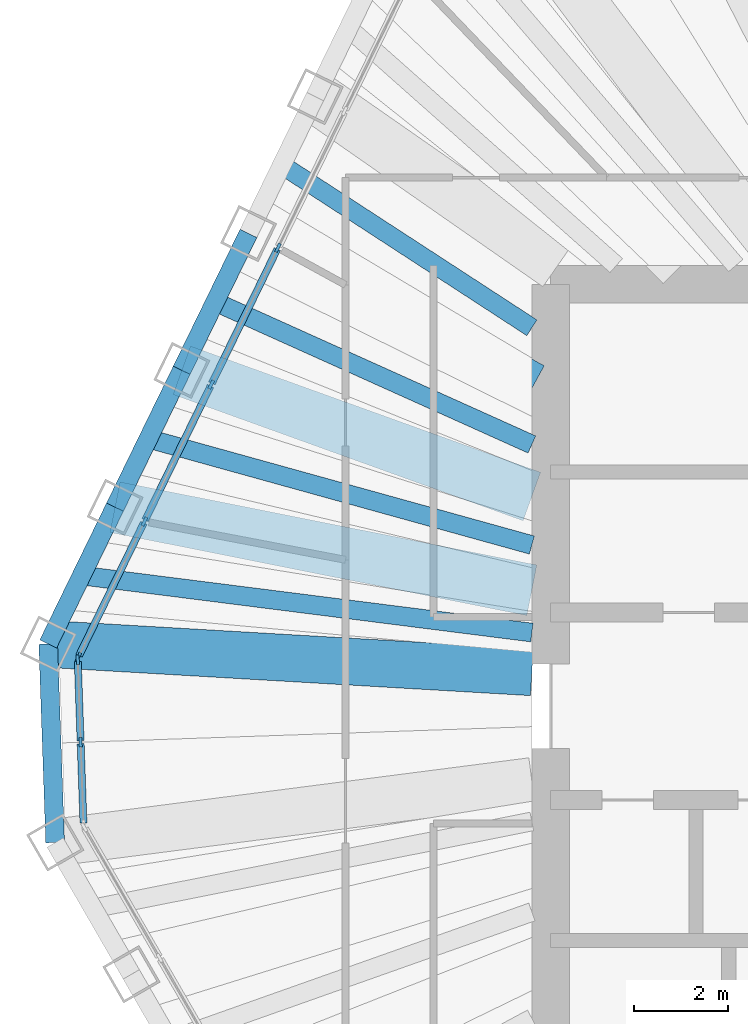
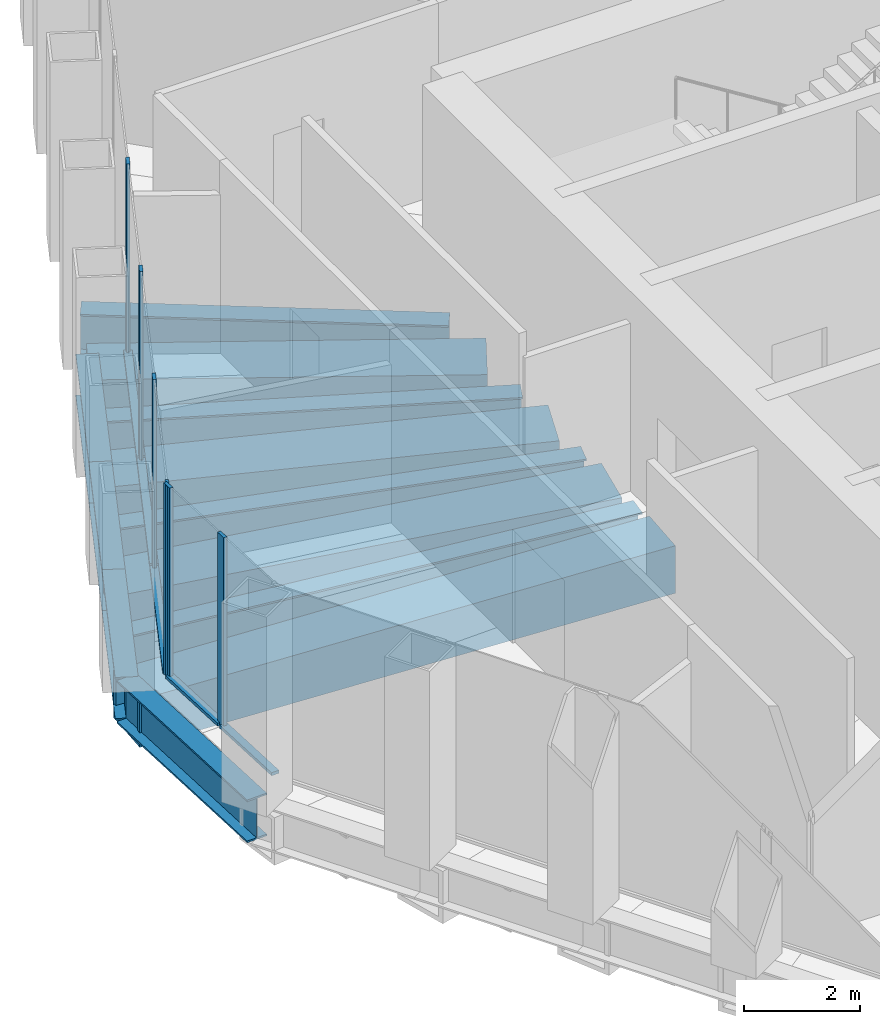
# One storey, part 4 of 14: 12 beams, 11 members, 2 elements without a shape of their own.
"""IFC4 building model written with IfcOpenShell, lengths in metres."""

from ifc_helpers import new_model, si_unit, direction, frame, origin, origin_2d, place, context, subcontext, project, spatial, rectangle, hollow_rectangle, i_section, extrude, material, material_profile, profile_set, type_object, element, aggregate, save


model = new_model("IFC4")

# Units and contexts
model_context = context("Model", 3, precision=1e-05, world=origin(), true_north=direction((0.0, 1.0)))
body_context = subcontext(model_context, "Body", "Model", "MODEL_VIEW")
ifc_project = project(units=[si_unit("LENGTHUNIT", "METRE"), si_unit("AREAUNIT", "SQUARE_METRE"), si_unit("VOLUMEUNIT", "CUBIC_METRE"), si_unit("PLANEANGLEUNIT", "RADIAN"), si_unit("MASSUNIT", "GRAM", prefix="KILO")], contexts=[model_context])

# Site, building, storey
site_placement = place(None, origin())
site = spatial("IfcSite", under=ifc_project, at=site_placement, CompositionType="ELEMENT")
building_placement = place(site_placement, origin())
building = spatial("IfcBuilding", under=site, at=building_placement, Name="Qingtian Harvest Tower", CompositionType="ELEMENT")
storey_placement = place(building_placement, frame((0.0, 0.0, 304.0)))
storey = spatial("IfcBuildingStorey", under=building, at=storey_placement, Name="L67", CompositionType="ELEMENT", Elevation=304.0)

# Beams
ifc_material_1 = material(Name="Steel SN490B", Category="steel")
ifc_material_profile_1 = material_profile(ifc_material_1, i_section(OverallWidth=0.39990234375, OverallDepth=0.89990234375, WebThickness=0.01904296875, FlangeThickness=0.035888671875, at=origin_2d()), Name="H900x400x19x36")
ifc_profile_set_1 = profile_set([ifc_material_profile_1], Name="Steel SN490B")
beam_type_1 = type_object("IfcBeamType", Name="Floor joist J4 H900x400x19x36", PredefinedType="JOIST", material=ifc_profile_set_1)
beam_1_placement = place(storey_placement, frame((-22.00537109375, 2.78662109375, -0.6201171875), z_axis=(0.992077984062, -0.125623538954, 0.0), x_axis=(0.125623538954, 0.992077984062, 0.0)))
element("IfcBeam", 1, at=beam_1_placement, inside=storey, type_object=beam_type_1, Name="Floor joist J4 NW0", PredefinedType="JOIST", context=body_context, shape_type="SweptSolid", body=[
    extrude(i_section(OverallWidth=0.39990234375, OverallDepth=0.89990234375, WebThickness=0.01904296875, FlangeThickness=0.035888671875, at=origin_2d()), origin(), (0.0, 0.0, 1.0), 9.68212890625),
])
beam_2_placement = place(storey_placement, frame((-20.58154296875, 5.7060546875, -0.6201171875), z_axis=(0.963650445063, -0.267166277306, 0.0), x_axis=(0.267166277306, 0.963650445063, 0.0)))
element("IfcBeam", 2, at=beam_2_placement, inside=storey, type_object=beam_type_1, Name="Floor joist J4 NW1", PredefinedType="JOIST", context=body_context, shape_type="SweptSolid", body=[
    extrude(i_section(OverallWidth=0.39990234375, OverallDepth=0.89990234375, WebThickness=0.01904296875, FlangeThickness=0.035888671875, at=origin_2d()), origin(), (0.0, 0.0, 1.0), 8.490234375),
])
beam_3_placement = place(storey_placement, frame((-19.15771484375, 8.625244140625, -0.6201171875), z_axis=(0.911847523905, -0.410529040567, 0.0), x_axis=(0.410529040567, 0.911847523905, 0.0)))
element("IfcBeam", 3, at=beam_3_placement, inside=storey, type_object=beam_type_1, Name="Floor joist J4 NW2", PredefinedType="JOIST", context=body_context, shape_type="SweptSolid", body=[
    extrude(i_section(OverallWidth=0.39990234375, OverallDepth=0.89990234375, WebThickness=0.01904296875, FlangeThickness=0.035888671875, at=origin_2d()), origin(), (0.0, 0.0, 1.0), 7.4111328125),
])
beam_4_placement = place(storey_placement, frame((-17.73388671875, 11.544677734375, -0.6201171875), z_axis=(0.83806130614, -0.545576069079, 0.0), x_axis=(0.545576069079, 0.83806130614, 0.0)))
element("IfcBeam", 4, at=beam_4_placement, inside=storey, type_object=beam_type_1, Name="Floor joist J4 NW3", PredefinedType="JOIST", context=body_context, shape_type="SweptSolid", body=[
    extrude(i_section(OverallWidth=0.39990234375, OverallDepth=0.89990234375, WebThickness=0.01904296875, FlangeThickness=0.035888671875, at=origin_2d()), origin(), (0.0, 0.0, 1.0), 6.36474609375),
])

# Curtain wall, members
ifc_material_2 = material(Name="Bronze-anodised aluminium curtain wall", Category="aluminium")
curtain_wall_type = type_object("IfcCurtainWallType", Name="Curtain wall CW5 upper office", PredefinedType="USERDEFINED", material=ifc_material_2)
curtain_wall_1_placement = place(storey_placement, origin())
curtain_wall_1 = element("IfcCurtainWall", 5, at=curtain_wall_1_placement, inside=storey, type_object=curtain_wall_type, Name="Curtain wall CW5 L67 SWC", ObjectType="RECESSED CURTAIN WALL", PredefinedType="USERDEFINED")
ifc_material_3 = material(Name="Bronze-anodised aluminium mullion", Category="aluminium")
ifc_material_profile_2 = material_profile(ifc_material_3, rectangle(XDim=0.06494140625, YDim=0.199951171875, at=origin_2d()), Name="AL 65x200")
ifc_profile_set_2 = profile_set([ifc_material_profile_2], Name="Bronze-anodised aluminium mullion")
member_type_1 = type_object("IfcMemberType", Name="Mullion CWM 65x200", PredefinedType="MULLION", material=ifc_profile_set_2)
member_1_placement = place(storey_placement, frame((-22.025634765625, -0.76904296875, 0.0), z_axis=(0.0, 0.0, 1.0), x_axis=(-0.999390827019, -0.034899496703, 0.0)))
member_1 = element("IfcMember", 6, at=member_1_placement, type_object=member_type_1, Name="CW5 mullion 2", PredefinedType="MULLION", context=body_context, shape_type="SweptSolid", body=[
    extrude(rectangle(XDim=0.06494140625, YDim=0.199951171875, at=origin_2d()), origin(), (0.0, 0.0, 1.0), 4.030029296875),
])
member_2_placement = place(storey_placement, frame((-22.087158203125, 0.98779296875, 0.0), z_axis=(0.0, 0.0, 1.0), x_axis=(-0.999390827019, -0.034899496703, 0.0)))
member_2 = element("IfcMember", 7, at=member_2_placement, type_object=member_type_1, Name="CW5 mullion 3", PredefinedType="MULLION", context=body_context, shape_type="SweptSolid", body=[
    extrude(rectangle(XDim=0.06494140625, YDim=0.199951171875, at=origin_2d()), origin(), (0.0, 0.0, 1.0), 4.030029296875),
])

curtain_wall_2_placement = place(storey_placement, origin())
curtain_wall_2 = element("IfcCurtainWall", 8, at=curtain_wall_2_placement, inside=storey, type_object=curtain_wall_type, Name="Curtain wall CW5 L67 NW0-5", ObjectType="RECESSED CURTAIN WALL", PredefinedType="USERDEFINED")
member_3_placement = place(storey_placement, frame((-22.073974609375, 1.04931640625, 0.0), z_axis=(0.0, 0.0, 1.0), x_axis=(-0.898794046299, 0.438371146789, 0.0)))
member_3 = element("IfcMember", 9, at=member_3_placement, type_object=member_type_1, Name="CW5 mullion 1", PredefinedType="MULLION", context=body_context, shape_type="SweptSolid", body=[
    extrude(rectangle(XDim=0.06494140625, YDim=0.199951171875, at=origin_2d()), origin(), (0.0, 0.0, 1.0), 4.030029296875),
])
member_4_placement = place(storey_placement, frame((-20.664306640625, 3.939453125, 0.0), z_axis=(0.0, 0.0, 1.0), x_axis=(-0.898794046299, 0.438371146789, 0.0)))
member_4 = element("IfcMember", 10, at=member_4_placement, type_object=member_type_1, Name="CW5 mullion 2", PredefinedType="MULLION", context=body_context, shape_type="SweptSolid", body=[
    extrude(rectangle(XDim=0.06494140625, YDim=0.199951171875, at=origin_2d()), origin(), (0.0, 0.0, 1.0), 4.030029296875),
])
member_5_placement = place(storey_placement, frame((-19.240478515625, 6.85888671875, 0.0), z_axis=(0.0, 0.0, 1.0), x_axis=(-0.898794046299, 0.438371146789, 0.0)))
member_5 = element("IfcMember", 11, at=member_5_placement, type_object=member_type_1, Name="CW5 mullion 3", PredefinedType="MULLION", context=body_context, shape_type="SweptSolid", body=[
    extrude(rectangle(XDim=0.06494140625, YDim=0.199951171875, at=origin_2d()), origin(), (0.0, 0.0, 1.0), 4.030029296875),
])
member_6_placement = place(storey_placement, frame((-17.816650390625, 9.778076171875, 0.0), z_axis=(0.0, 0.0, 1.0), x_axis=(-0.898794046299, 0.438371146789, 0.0)))
member_6 = element("IfcMember", 12, at=member_6_placement, type_object=member_type_1, Name="CW5 mullion 4", PredefinedType="MULLION", context=body_context, shape_type="SweptSolid", body=[
    extrude(rectangle(XDim=0.06494140625, YDim=0.199951171875, at=origin_2d()), origin(), (0.0, 0.0, 1.0), 4.030029296875),
])

# Beams
ifc_material_4 = material(Name="Steel SN490B", Category="steel")
ifc_material_profile_3 = material_profile(ifc_material_4, i_section(OverallWidth=0.39990234375, OverallDepth=0.89990234375, WebThickness=0.01904296875, FlangeThickness=0.035888671875, at=origin_2d()), Name="H900x400x19x36")
ifc_profile_set_3 = profile_set([ifc_material_profile_3], Name="Steel SN490B")
beam_type_2 = type_object("IfcBeamType", Name="Spandrel beam SB4 H900x400x19x36", PredefinedType="SPANDREL", material=ifc_profile_set_3)
beam_5_placement = place(storey_placement, frame((-22.569580078125, -2.908447265625, -0.449951171875), z_axis=(-0.034851142499, 0.999392514414, 0.0), x_axis=(-0.999392514414, -0.034851142499, 0.0)))
element("IfcBeam", 13, at=beam_5_placement, inside=storey, type_object=beam_type_2, Name="Spandrel SB4 SWC", PredefinedType="SPANDREL", context=body_context, shape_type="SweptSolid", body=[
    extrude(i_section(OverallWidth=0.39990234375, OverallDepth=0.89990234375, WebThickness=0.01904296875, FlangeThickness=0.035888671875, at=origin_2d()), origin(), (0.0, 0.0, 1.0), 4.23828125),
])
beam_6_placement = place(storey_placement, frame((-22.71728515625, 1.3271484375, -0.449951171875), z_axis=(0.438382164311, 0.898788672611, 0.0), x_axis=(-0.898788672611, 0.438382164311, 0.0)))
element("IfcBeam", 14, at=beam_6_placement, inside=storey, type_object=beam_type_2, Name="Spandrel SB4 NW0", PredefinedType="SPANDREL", context=body_context, shape_type="SweptSolid", body=[
    extrude(i_section(OverallWidth=0.39990234375, OverallDepth=0.89990234375, WebThickness=0.01904296875, FlangeThickness=0.035888671875, at=origin_2d()), origin(), (0.0, 0.0, 1.0), 3.247802734375),
])
beam_7_placement = place(storey_placement, frame((-21.29345703125, 4.246337890625, -0.449951171875), z_axis=(0.438352548749, 0.898803116931, 0.0), x_axis=(-0.898803116931, 0.438352548749, 0.0)))
element("IfcBeam", 15, at=beam_7_placement, inside=storey, type_object=beam_type_2, Name="Spandrel SB4 NW1", PredefinedType="SPANDREL", context=body_context, shape_type="SweptSolid", body=[
    extrude(i_section(OverallWidth=0.39990234375, OverallDepth=0.89990234375, WebThickness=0.01904296875, FlangeThickness=0.035888671875, at=origin_2d()), origin(), (0.0, 0.0, 1.0), 3.248046875),
])
beam_8_placement = place(storey_placement, frame((-19.86962890625, 7.165771484375, -0.449951171875), z_axis=(0.438382164311, 0.898788672611, 0.0), x_axis=(-0.898788672611, 0.438382164311, 0.0)))
element("IfcBeam", 16, at=beam_8_placement, inside=storey, type_object=beam_type_2, Name="Spandrel SB4 NW2", PredefinedType="SPANDREL", context=body_context, shape_type="SweptSolid", body=[
    extrude(i_section(OverallWidth=0.39990234375, OverallDepth=0.89990234375, WebThickness=0.01904296875, FlangeThickness=0.035888671875, at=origin_2d()), origin(), (0.0, 0.0, 1.0), 3.247802734375),
])
ifc_material_5 = material(Name="Steel SM570MC", Category="steel")
ifc_material_profile_4 = material_profile(ifc_material_5, hollow_rectangle(XDim=1.0, YDim=1.0, WallThickness=0.080078125, at=origin_2d()), Name="BOX1000x1000x80")
ifc_profile_set_4 = profile_set([ifc_material_profile_4], Name="Steel SM570MC")
beam_type_3 = type_object("IfcBeamType", Name="Transfer corner beam FB11 BOX1000x1000x80", PredefinedType="BEAM", material=ifc_profile_set_4)
beam_9_placement = place(storey_placement, frame((-22.71728515625, 1.3271484375, -0.669921875), z_axis=(0.998297672445, -0.058324584791, 0.0), x_axis=(0.058324584791, 0.998297672445, 0.0)))
element("IfcBeam", 17, at=beam_9_placement, inside=storey, type_object=beam_type_3, Name="Floor beam FB11 NW0", PredefinedType="BEAM", context=body_context, shape_type="SweptSolid", body=[
    extrude(hollow_rectangle(XDim=1.0, YDim=1.0, WallThickness=0.080078125, at=origin_2d()), origin(), (0.0, 0.0, 1.0), 10.3349609375),
])
ifc_material_6 = material(Name="Steel SM570MC", Category="steel")
ifc_material_profile_5 = material_profile(ifc_material_6, hollow_rectangle(XDim=1.10009765625, YDim=1.10009765625, WallThickness=0.10009765625, at=origin_2d()), Name="BOX1100x1100x100")
ifc_profile_set_5 = profile_set([ifc_material_profile_5], Name="Steel SM570MC")
beam_type_4 = type_object("IfcBeamType", Name="Transfer floor beam FB9 BOX1100x1100x100", PredefinedType="BEAM", material=ifc_profile_set_5)
beam_10_placement = place(storey_placement, frame((-21.29345703125, 4.246337890625, -0.719970703125), z_axis=(0.980692343585, -0.195556966723, 0.0), x_axis=(0.195556966723, 0.980692343585, 0.0)))
element("IfcBeam", 18, at=beam_10_placement, inside=storey, type_object=beam_type_4, Name="Floor beam FB9 NW1", PredefinedType="BEAM", context=body_context, shape_type="SweptSolid", body=[
    extrude(hollow_rectangle(XDim=1.10009765625, YDim=1.10009765625, WallThickness=0.10009765625, at=origin_2d()), origin(), (0.0, 0.0, 1.0), 9.068603515625),
])
beam_11_placement = place(storey_placement, frame((-19.86962890625, 7.165771484375, -0.719970703125), z_axis=(0.940696778834, -0.339248537641, 0.0), x_axis=(0.339248537641, 0.940696778834, 0.0)))
element("IfcBeam", 19, at=beam_11_placement, inside=storey, type_object=beam_type_4, Name="Floor beam FB9 NW2", PredefinedType="BEAM", context=body_context, shape_type="SweptSolid", body=[
    extrude(hollow_rectangle(XDim=1.10009765625, YDim=1.10009765625, WallThickness=0.10009765625, at=origin_2d()), origin(), (0.0, 0.0, 1.0), 7.940673828125),
])
beam_12_placement = place(storey_placement, frame((-18.44580078125, 10.0849609375, -0.719970703125), z_axis=(0.877427999734, -0.479708354402, 0.0), x_axis=(0.479708354402, 0.877427999734, 0.0)))
element("IfcBeam", 20, at=beam_12_placement, inside=storey, type_object=beam_type_4, Name="Floor beam FB9 NW3", PredefinedType="BEAM", context=body_context, shape_type="SweptSolid", body=[
    extrude(hollow_rectangle(XDim=1.10009765625, YDim=1.10009765625, WallThickness=0.10009765625, at=origin_2d()), origin(), (0.0, 0.0, 1.0), 6.890380859375),
])

# Member
ifc_material_7 = material(Name="Bronze-anodised aluminium transom", Category="aluminium")
ifc_material_profile_6 = material_profile(ifc_material_7, rectangle(XDim=0.14990234375, YDim=0.06494140625, at=origin_2d()), Name="AL 65x150")
ifc_profile_set_6 = profile_set([ifc_material_profile_6], Name="Bronze-anodised aluminium transom")
member_type_2 = type_object("IfcMemberType", Name="Transom CWT 65x150", PredefinedType="USERDEFINED", material=ifc_profile_set_6)
member_7_placement = place(storey_placement, frame((-21.965576171875, -2.49365234375, 0.032470703125), z_axis=(-0.034899362377, 0.99939083171, 0.0), x_axis=(-0.99939083171, -0.034899362377, 0.0)))
member_7 = element("IfcMember", 21, at=member_7_placement, type_object=member_type_2, Name="CW5 transom 1.1", ObjectType="TRANSOM", PredefinedType="USERDEFINED", context=body_context, shape_type="SweptSolid", body=[
    extrude(rectangle(XDim=0.14990234375, YDim=0.06494140625, at=origin_2d()), origin(), (0.0, 0.0, 1.0), 1.69287109375),
])

member_8_placement = place(storey_placement, frame((-22.02685546875, -0.736572265625, 0.032470703125), z_axis=(-0.034899362377, 0.99939083171, 0.0), x_axis=(-0.99939083171, -0.034899362377, 0.0)))
member_8 = element("IfcMember", 22, at=member_8_placement, type_object=member_type_2, Name="CW5 transom 2.1", ObjectType="TRANSOM", PredefinedType="USERDEFINED", context=body_context, shape_type="SweptSolid", body=[
    extrude(rectangle(XDim=0.14990234375, YDim=0.06494140625, at=origin_2d()), origin(), (0.0, 0.0, 1.0), 1.69287109375),
])

aggregate(curtain_wall_1, [member_1, member_2, member_7, member_8])

member_9_placement = place(storey_placement, frame((-22.059814453125, 1.07861328125, 0.032470703125), z_axis=(0.438357982629, 0.89880046677, 0.0), x_axis=(-0.89880046677, 0.438357982629, 0.0)))
member_9 = element("IfcMember", 23, at=member_9_placement, type_object=member_type_2, Name="CW5 transom 1.1", ObjectType="TRANSOM", PredefinedType="USERDEFINED", context=body_context, shape_type="SweptSolid", body=[
    extrude(rectangle(XDim=0.14990234375, YDim=0.06494140625, at=origin_2d()), origin(), (0.0, 0.0, 1.0), 3.150634765625),
])

member_10_placement = place(storey_placement, frame((-20.650146484375, 3.96875, 0.032470703125), z_axis=(0.438355626738, 0.898801615768, 0.0), x_axis=(-0.898801615768, 0.438355626738, 0.0)))
member_10 = element("IfcMember", 24, at=member_10_placement, type_object=member_type_2, Name="CW5 transom 2.1", ObjectType="TRANSOM", PredefinedType="USERDEFINED", context=body_context, shape_type="SweptSolid", body=[
    extrude(rectangle(XDim=0.14990234375, YDim=0.06494140625, at=origin_2d()), origin(), (0.0, 0.0, 1.0), 3.182861328125),
])

member_11_placement = place(storey_placement, frame((-19.226318359375, 6.887939453125, 0.032470703125), z_axis=(0.438325408134, 0.898816353091, 0.0), x_axis=(-0.898816353091, 0.438325408134, 0.0)))
member_11 = element("IfcMember", 25, at=member_11_placement, type_object=member_type_2, Name="CW5 transom 3.1", ObjectType="TRANSOM", PredefinedType="USERDEFINED", context=body_context, shape_type="SweptSolid", body=[
    extrude(rectangle(XDim=0.14990234375, YDim=0.06494140625, at=origin_2d()), origin(), (0.0, 0.0, 1.0), 3.18310546875),
])

aggregate(curtain_wall_2, [member_3, member_4, member_5, member_6, member_9, member_10, member_11])

save(model, "model.ifc")
